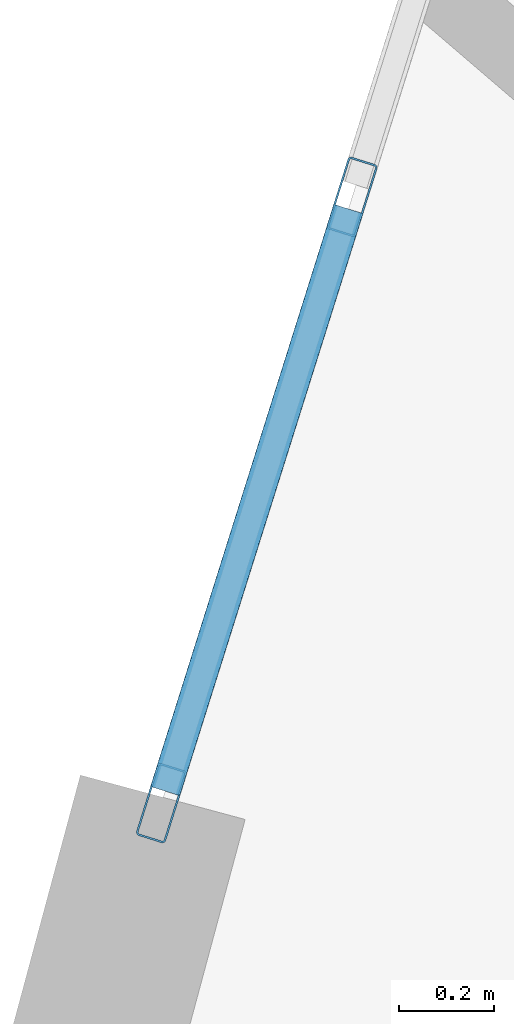
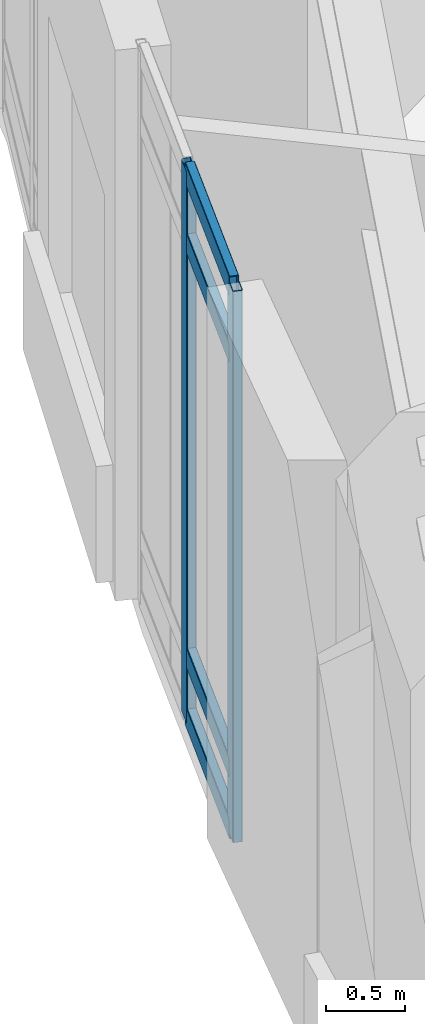
# One storey, part 2 of 16: 6 members, 1 element without a shape of its own.
"""IFC4 building model written with IfcOpenShell, lengths in metres."""

from ifc_helpers import new_model, si_unit, direction, frame, origin, origin_2d, place, context, subcontext, project, spatial, hollow_rectangle, extrude, material, layer, layer_set, material_profile, profile_set, type_object, element, aggregate, save


model = new_model("IFC4")

# Units and contexts
model_context = context("Model", 3, precision=1e-05, world=origin(), true_north=direction((0.0, 1.0)))
body_context = subcontext(model_context, "Body", "Model", "MODEL_VIEW")
ifc_project = project(units=[si_unit("LENGTHUNIT", "METRE"), si_unit("AREAUNIT", "SQUARE_METRE"), si_unit("VOLUMEUNIT", "CUBIC_METRE"), si_unit("PLANEANGLEUNIT", "RADIAN"), si_unit("MASSUNIT", "GRAM", prefix="KILO")], contexts=[model_context])

# Site, building, storey
site_placement = place(None, origin())
site = spatial("IfcSite", under=ifc_project, at=site_placement, CompositionType="ELEMENT")
building_placement = place(site_placement, origin())
building = spatial("IfcBuilding", under=site, at=building_placement, Name="Ndelora Gate Hotel", CompositionType="ELEMENT")
storey_placement = place(building_placement, frame((0.0, 0.0, 92.75)))
storey = spatial("IfcBuildingStorey", under=building, at=storey_placement, Name="L22", CompositionType="ELEMENT", Elevation=92.75)

# Curtain wall, members
ifc_material_1 = material(Name="Bronze Anodised Unitised Aluminium and Low-E Glass", Category="aluminium")
ifc_layer = layer(ifc_material_1, 0.2099609375)
ifc_layer_set = layer_set([ifc_layer], Name="Bronze Anodised Unitised Aluminium and Low-E Glass")
curtain_wall_type = type_object("IfcCurtainWallType", Name="CW-SYS-4", PredefinedType="NOTDEFINED", material=ifc_layer_set)
curtain_wall_placement = place(storey_placement, origin())
curtain_wall = element("IfcCurtainWall", 1, at=curtain_wall_placement, inside=storey, type_object=curtain_wall_type, Name="L22 Lower Sky-Lobby & Highland Spa Curtain Wall 2", PredefinedType="NOTDEFINED")
ifc_material_2 = material(Name="Bronze Anodised Aluminium 6063-T6", Category="aluminium")
ifc_material_profile_1 = material_profile(ifc_material_2, hollow_rectangle(XDim=0.06494140625, YDim=0.159912109375, WallThickness=0.00390625, InnerFilletRadius=0.00390625, OuterFilletRadius=0.008056640625, at=origin_2d()), Name="ALU 160x65x4")
ifc_profile_set_1 = profile_set([ifc_material_profile_1], Name="Bronze Anodised Aluminium 6063-T6")
member_type_1 = type_object("IfcMemberType", Name="MB-CW-MUL150", PredefinedType="MULLION", material=ifc_profile_set_1)
member_1_placement = place(storey_placement, frame((-14.453125, 11.782470703125, -0.00390625), z_axis=(0.0, 0.0, 1.0), x_axis=(0.95390982932, -0.300093381343, 0.0)))
member_1 = element("IfcMember", 2, at=member_1_placement, type_object=member_type_1, Name="CW4 mullion 2", PredefinedType="MULLION", context=body_context, shape_type="SweptSolid", body=[
    extrude(hollow_rectangle(XDim=0.06494140625, YDim=0.159912109375, WallThickness=0.00390625, InnerFilletRadius=0.00390625, OuterFilletRadius=0.008056640625, at=origin_2d()), origin(), (0.0, 0.0, 1.0), 4.2578125),
])
member_2_placement = place(storey_placement, frame((-14.855712890625, 10.50244140625, -0.00390625), z_axis=(0.0, 0.0, 1.0), x_axis=(0.95390982932, -0.300093381343, 0.0)))
member_2 = element("IfcMember", 3, at=member_2_placement, type_object=member_type_1, Name="CW4 mullion 3", PredefinedType="MULLION", context=body_context, shape_type="SweptSolid", body=[
    extrude(hollow_rectangle(XDim=0.06494140625, YDim=0.159912109375, WallThickness=0.00390625, InnerFilletRadius=0.00390625, OuterFilletRadius=0.008056640625, at=origin_2d()), origin(), (0.0, 0.0, 1.0), 4.2578125),
])
ifc_material_profile_2 = material_profile(ifc_material_2, hollow_rectangle(XDim=0.06494140625, YDim=0.159912109375, WallThickness=0.00390625, InnerFilletRadius=0.00390625, OuterFilletRadius=0.008056640625, at=origin_2d()), Name="ALU 160x65x4")
ifc_profile_set_2 = profile_set([ifc_material_profile_2], Name="Bronze Anodised Aluminium 6063-T6")
member_type_2 = type_object("IfcMemberType", Name="MB-CW-TRN150", PredefinedType="USERDEFINED", material=ifc_profile_set_2)
member_3_placement = place(storey_placement, frame((-14.4609375, 11.757080078125, 0.032470703125), z_axis=(-0.300269915727, -0.953854274881, 0.0), x_axis=(0.953854274881, -0.300269915727, 0.0)))
member_3 = element("IfcMember", 4, at=member_3_placement, type_object=member_type_2, Name="CW4 transom 2.1", ObjectType="TRANSOM", PredefinedType="USERDEFINED", context=body_context, shape_type="SweptSolid", body=[
    extrude(hollow_rectangle(XDim=0.06494140625, YDim=0.159912109375, WallThickness=0.00390625, InnerFilletRadius=0.00390625, OuterFilletRadius=0.008056640625, at=origin_2d()), origin(), (0.0, 0.0, 1.0), 1.288818359375),
])
member_4_placement = place(storey_placement, frame((-14.4609375, 11.757080078125, 0.5), z_axis=(-0.300269915727, -0.953854274881, 0.0), x_axis=(0.953854274881, -0.300269915727, 0.0)))
member_4 = element("IfcMember", 5, at=member_4_placement, type_object=member_type_2, Name="CW4 transom 2.2", ObjectType="TRANSOM", PredefinedType="USERDEFINED", context=body_context, shape_type="SweptSolid", body=[
    extrude(hollow_rectangle(XDim=0.06494140625, YDim=0.159912109375, WallThickness=0.00390625, InnerFilletRadius=0.00390625, OuterFilletRadius=0.008056640625, at=origin_2d()), origin(), (0.0, 0.0, 1.0), 1.288818359375),
])
member_5_placement = place(storey_placement, frame((-14.4609375, 11.757080078125, 3.699951171875), z_axis=(-0.300269915727, -0.953854274881, 0.0), x_axis=(0.953854274881, -0.300269915727, 0.0)))
member_5 = element("IfcMember", 6, at=member_5_placement, type_object=member_type_2, Name="CW4 transom 2.3", ObjectType="TRANSOM", PredefinedType="USERDEFINED", context=body_context, shape_type="SweptSolid", body=[
    extrude(hollow_rectangle(XDim=0.06494140625, YDim=0.159912109375, WallThickness=0.00390625, InnerFilletRadius=0.00390625, OuterFilletRadius=0.008056640625, at=origin_2d()), origin(), (0.0, 0.0, 1.0), 1.288818359375),
])
member_6_placement = place(storey_placement, frame((-14.4609375, 11.757080078125, 4.217529296875), z_axis=(-0.300269915727, -0.953854274881, 0.0), x_axis=(0.953854274881, -0.300269915727, 0.0)))
member_6 = element("IfcMember", 7, at=member_6_placement, type_object=member_type_2, Name="CW4 transom 2.4", ObjectType="TRANSOM", PredefinedType="USERDEFINED", context=body_context, shape_type="SweptSolid", body=[
    extrude(hollow_rectangle(XDim=0.06494140625, YDim=0.159912109375, WallThickness=0.00390625, InnerFilletRadius=0.00390625, OuterFilletRadius=0.008056640625, at=origin_2d()), origin(), (0.0, 0.0, 1.0), 1.288818359375),
])
aggregate(curtain_wall, [member_1, member_2, member_3, member_4, member_5, member_6])

save(model, "model.ifc")
